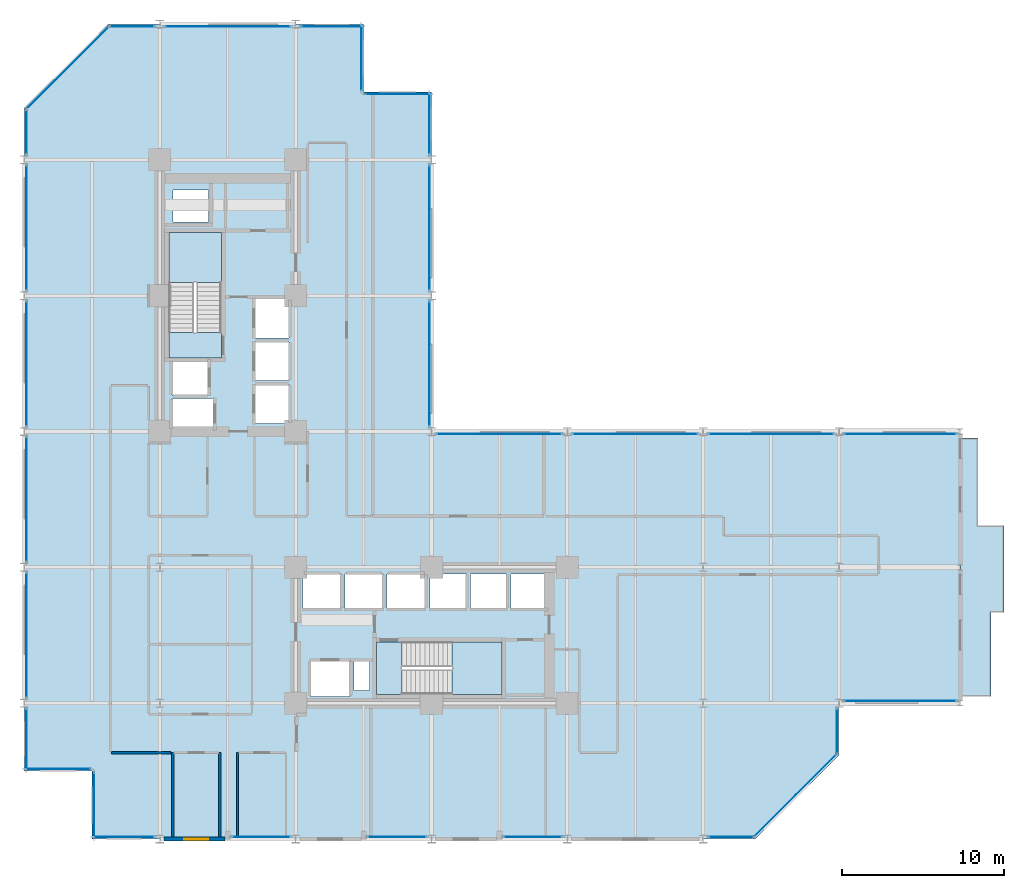
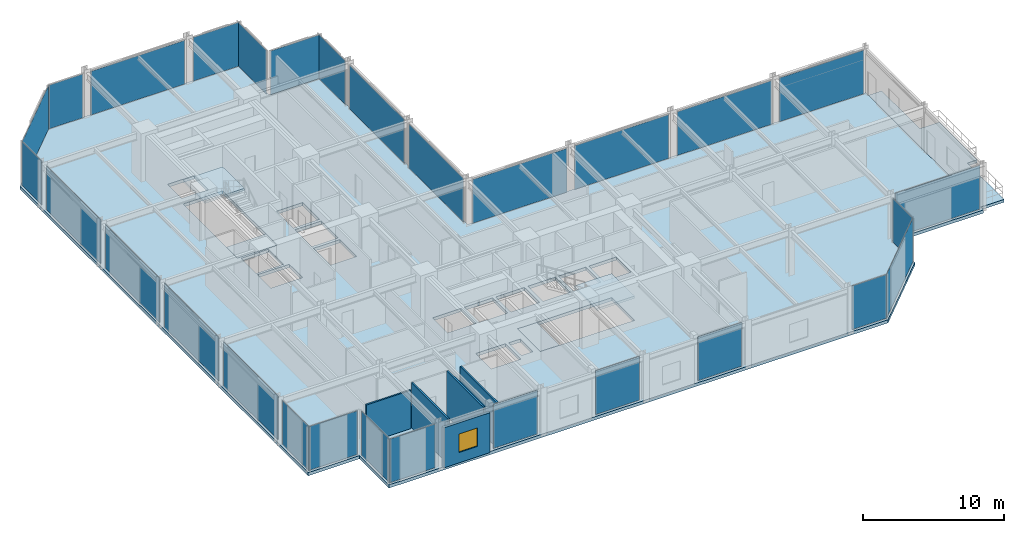
# One storey, part 20 of 26: 29 plates, 6 slabs, 5 walls, 1 window, 1 opening, 31 elements without a shape of their own.
"""IFC4 building model written with IfcOpenShell, lengths in metres."""

from ifc_helpers import new_model, si_unit, direction, frame, frame_2d, origin, origin_2d, place, context, subcontext, project, spatial, polyline, rectangle, outline, extrude, material, layer, layer_set, type_object, element, fill, aggregate, save


model = new_model("IFC4")

# Units and contexts
model_context = context("Model", 3, precision=1e-05, world=origin(), true_north=direction((0.0, 1.0)))
body_context = subcontext(model_context, "Body", "Model", "MODEL_VIEW")
ifc_project = project(units=[si_unit("LENGTHUNIT", "METRE"), si_unit("AREAUNIT", "SQUARE_METRE"), si_unit("VOLUMEUNIT", "CUBIC_METRE"), si_unit("PLANEANGLEUNIT", "RADIAN"), si_unit("MASSUNIT", "GRAM", prefix="KILO")], contexts=[model_context])

# Site, building, storey
site_placement = place(None, origin())
site = spatial("IfcSite", under=ifc_project, at=site_placement, CompositionType="ELEMENT")
building_placement = place(site_placement, origin())
building = spatial("IfcBuilding", under=site, at=building_placement, Name="Nerrivon Quay Data Exchange", CompositionType="ELEMENT")
storey_placement = place(building_placement, frame((0.0, 0.0, 71.0)))
storey = spatial("IfcBuildingStorey", under=building, at=storey_placement, Name="L16", CompositionType="ELEMENT", Elevation=71.0)

# Curtain wall, plate
ifc_material_1 = material(Name="Anodised aluminium 6063-T6", Category="aluminium")
ifc_layer_1 = layer(ifc_material_1, 0.199951171875)
ifc_layer_set_1 = layer_set([ifc_layer_1], Name="Anodised aluminium 6063-T6")
curtain_wall_type_1 = type_object("IfcCurtainWallType", Name="CW-SYS-04", PredefinedType="NOTDEFINED", material=ifc_layer_set_1)
curtain_wall_1_placement = place(storey_placement, origin())
curtain_wall_1 = element("IfcCurtainWall", 1, at=curtain_wall_1_placement, inside=storey, type_object=curtain_wall_type_1, Name="L16 Unitised Curtain Wall 3", PredefinedType="NOTDEFINED")
ifc_material_2 = material(Name="Double-glazed low-E solar control glass", Category="glass")
ifc_layer_2 = layer(ifc_material_2, 0.028076171875)
ifc_layer_set_2 = layer_set([ifc_layer_2], Name="Double-glazed low-E solar control glass")
plate_type = type_object("IfcPlateType", Name="CWP-GLZ-28", PredefinedType="CURTAIN_PANEL", material=ifc_layer_set_2)
plate_1_placement = place(storey_placement, frame((54.197265625, 8.5400390625, 0.06494140625), z_axis=(0.0, 0.0, 1.0), x_axis=(-1.0, 0.0, 0.0)))
plate_1 = element("IfcPlate", 2, at=plate_1_placement, type_object=plate_type, Name="CW04 panel 1.1", PredefinedType="CURTAIN_PANEL", context=body_context, shape_type="SweptSolid", body=[
    extrude(rectangle(XDim=6.944580078125, YDim=0.028076171875, at=origin_2d()), origin(), (0.0, 0.0, 1.0), 3.794921875),
])
aggregate(curtain_wall_1, [plate_1])

ifc_layer_3 = layer(ifc_material_1, 0.219970703125)
ifc_layer_set_3 = layer_set([ifc_layer_3], Name="Anodised aluminium 6063-T6")
curtain_wall_type_2 = type_object("IfcCurtainWallType", Name="CW-SYS-01", PredefinedType="NOTDEFINED", material=ifc_layer_set_3)
curtain_wall_2_placement = place(storey_placement, origin())
curtain_wall_2 = element("IfcCurtainWall", 3, at=curtain_wall_2_placement, inside=storey, type_object=curtain_wall_type_2, Name="L16 Unitised Curtain Wall 4", PredefinedType="NOTDEFINED")
plate_2_placement = place(storey_placement, frame((50.260009765625, 6.675048828125, 0.06494140625), z_axis=(0.0, 0.0, 1.0), x_axis=(0.0, -1.0, 0.0)))
plate_2 = element("IfcPlate", 4, at=plate_2_placement, type_object=plate_type, Name="CW01 panel 1.1", PredefinedType="CURTAIN_PANEL", context=body_context, shape_type="SweptSolid", body=[
    extrude(rectangle(XDim=2.800048828125, YDim=0.028076171875, at=origin_2d()), origin(), (0.0, 0.0, 1.0), 3.794921875),
])
aggregate(curtain_wall_2, [plate_2])

curtain_wall_3_placement = place(storey_placement, origin())
curtain_wall_3 = element("IfcCurtainWall", 5, at=curtain_wall_3_placement, inside=storey, type_object=curtain_wall_type_2, Name="L16 Unitised Curtain Wall 5", PredefinedType="NOTDEFINED")
plate_3_placement = place(storey_placement, frame((47.700927734375, 2.698974609375, 0.06494140625), z_axis=(0.0, 0.0, 1.0), x_axis=(-0.707106781187, -0.707106781187, 0.0)))
plate_3 = element("IfcPlate", 6, at=plate_3_placement, type_object=plate_type, Name="CW01 panel 1.1", PredefinedType="CURTAIN_PANEL", context=body_context, shape_type="SweptSolid", body=[
    extrude(rectangle(XDim=7.203857421875, YDim=0.028076171875, at=origin_2d()), origin(), (0.0, 0.0, 1.0), 3.794921875),
])
aggregate(curtain_wall_3, [plate_3])

curtain_wall_4_placement = place(storey_placement, origin())
curtain_wall_4 = element("IfcCurtainWall", 7, at=curtain_wall_4_placement, inside=storey, type_object=curtain_wall_type_2, Name="L16 Unitised Curtain Wall 6", PredefinedType="NOTDEFINED")
plate_4_placement = place(storey_placement, frame((43.72509765625, 0.139892578125, 0.06494140625), z_axis=(0.0, 0.0, 1.0), x_axis=(-1.0, 0.0, 0.0)))
plate_4 = element("IfcPlate", 8, at=plate_4_placement, type_object=plate_type, Name="CW01 panel 1.1", PredefinedType="CURTAIN_PANEL", context=body_context, shape_type="SweptSolid", body=[
    extrude(rectangle(XDim=2.800048828125, YDim=0.028076171875, at=origin_2d()), origin(), (0.0, 0.0, 1.0), 3.794921875),
])
aggregate(curtain_wall_4, [plate_4])

curtain_wall_5_placement = place(storey_placement, origin())
curtain_wall_5 = element("IfcCurtainWall", 9, at=curtain_wall_5_placement, inside=storey, type_object=curtain_wall_type_2, Name="L16 Unitised Curtain Wall 8", PredefinedType="NOTDEFINED")
plate_5_placement = place(storey_placement, frame((31.46240234375, 0.139892578125, 0.06494140625), z_axis=(0.0, 0.0, 1.0), x_axis=(-1.0, 0.0, 0.0)))
plate_5 = element("IfcPlate", 10, at=plate_5_placement, type_object=plate_type, Name="CW01 panel 1.1", PredefinedType="CURTAIN_PANEL", context=body_context, shape_type="SweptSolid", body=[
    extrude(rectangle(XDim=3.625, YDim=0.028076171875, at=origin_2d()), origin(), (0.0, 0.0, 1.0), 3.794921875),
])
aggregate(curtain_wall_5, [plate_5])

curtain_wall_6_placement = place(storey_placement, origin())
curtain_wall_6 = element("IfcCurtainWall", 11, at=curtain_wall_6_placement, inside=storey, type_object=curtain_wall_type_2, Name="L16 Unitised Curtain Wall 10", PredefinedType="NOTDEFINED")
plate_6_placement = place(storey_placement, frame((23.0625, 0.139892578125, 0.06494140625), z_axis=(0.0, 0.0, 1.0), x_axis=(-1.0, 0.0, 0.0)))
plate_6 = element("IfcPlate", 12, at=plate_6_placement, type_object=plate_type, Name="CW01 panel 1.1", PredefinedType="CURTAIN_PANEL", context=body_context, shape_type="SweptSolid", body=[
    extrude(rectangle(XDim=3.625, YDim=0.028076171875, at=origin_2d()), origin(), (0.0, 0.0, 1.0), 3.794921875),
])
aggregate(curtain_wall_6, [plate_6])

curtain_wall_7_placement = place(storey_placement, origin())
curtain_wall_7 = element("IfcCurtainWall", 13, at=curtain_wall_7_placement, inside=storey, type_object=curtain_wall_type_2, Name="L16 Unitised Curtain Wall 12", PredefinedType="NOTDEFINED")
plate_7_placement = place(storey_placement, frame((14.66259765625, 0.139892578125, 0.06494140625), z_axis=(0.0, 0.0, 1.0), x_axis=(-1.0, 0.0, 0.0)))
plate_7 = element("IfcPlate", 14, at=plate_7_placement, type_object=plate_type, Name="CW01 panel 1.1", PredefinedType="CURTAIN_PANEL", context=body_context, shape_type="SweptSolid", body=[
    extrude(rectangle(XDim=3.625, YDim=0.028076171875, at=origin_2d()), origin(), (0.0, 0.0, 1.0), 3.794921875),
])
aggregate(curtain_wall_7, [plate_7])

curtain_wall_8_placement = place(storey_placement, origin())
curtain_wall_8 = element("IfcCurtainWall", 15, at=curtain_wall_8_placement, inside=storey, type_object=curtain_wall_type_2, Name="L16 Unitised Curtain Wall 14", PredefinedType="NOTDEFINED")
plate_8_placement = place(storey_placement, frame((6.175048828125, 0.139892578125, 0.06494140625), z_axis=(0.0, 0.0, 1.0), x_axis=(-1.0, 0.0, 0.0)))
plate_8 = element("IfcPlate", 16, at=plate_8_placement, type_object=plate_type, Name="CW01 panel 1.1", PredefinedType="CURTAIN_PANEL", context=body_context, shape_type="SweptSolid", body=[
    extrude(rectangle(XDim=3.800048828125, YDim=0.028076171875, at=origin_2d()), origin(), (0.0, 0.0, 1.0), 3.794921875),
])
aggregate(curtain_wall_8, [plate_8])

curtain_wall_9_placement = place(storey_placement, origin())
curtain_wall_9 = element("IfcCurtainWall", 17, at=curtain_wall_9_placement, inside=storey, type_object=curtain_wall_type_2, Name="L16 Unitised Curtain Wall 15", PredefinedType="NOTDEFINED")
plate_9_placement = place(storey_placement, frame((4.340087890625, 2.10009765625, 0.06494140625), z_axis=(0.0, 0.0, 1.0), x_axis=(0.0, 1.0, 0.0)))
plate_9 = element("IfcPlate", 18, at=plate_9_placement, type_object=plate_type, Name="CW01 panel 1.1", PredefinedType="CURTAIN_PANEL", context=body_context, shape_type="SweptSolid", body=[
    extrude(rectangle(XDim=4.050048828125, YDim=0.028076171875, at=origin_2d()), origin(), (0.0, 0.0, 1.0), 3.794921875),
])
aggregate(curtain_wall_9, [plate_9])

curtain_wall_10_placement = place(storey_placement, origin())
curtain_wall_10 = element("IfcCurtainWall", 19, at=curtain_wall_10_placement, inside=storey, type_object=curtain_wall_type_2, Name="L16 Unitised Curtain Wall 16", PredefinedType="NOTDEFINED")
plate_10_placement = place(storey_placement, frame((2.10009765625, 4.340087890625, 0.06494140625), z_axis=(0.0, 0.0, 1.0), x_axis=(-1.0, 0.0, 0.0)))
plate_10 = element("IfcPlate", 20, at=plate_10_placement, type_object=plate_type, Name="CW01 panel 1.1", PredefinedType="CURTAIN_PANEL", context=body_context, shape_type="SweptSolid", body=[
    extrude(rectangle(XDim=4.050048828125, YDim=0.028076171875, at=origin_2d()), origin(), (0.0, 0.0, 1.0), 3.794921875),
])
aggregate(curtain_wall_10, [plate_10])

curtain_wall_11_placement = place(storey_placement, origin())
curtain_wall_11 = element("IfcCurtainWall", 21, at=curtain_wall_11_placement, inside=storey, type_object=curtain_wall_type_2, Name="L16 Unitised Curtain Wall 17", PredefinedType="NOTDEFINED")
plate_11_placement = place(storey_placement, frame((0.139892578125, 6.175048828125, 0.06494140625), z_axis=(0.0, 0.0, 1.0), x_axis=(0.0, 1.0, 0.0)))
plate_11 = element("IfcPlate", 22, at=plate_11_placement, type_object=plate_type, Name="CW01 panel 1.1", PredefinedType="CURTAIN_PANEL", context=body_context, shape_type="SweptSolid", body=[
    extrude(rectangle(XDim=3.800048828125, YDim=0.028076171875, at=origin_2d()), origin(), (0.0, 0.0, 1.0), 3.794921875),
])
aggregate(curtain_wall_11, [plate_11])

curtain_wall_12_placement = place(storey_placement, origin())
curtain_wall_12 = element("IfcCurtainWall", 23, at=curtain_wall_12_placement, inside=storey, type_object=curtain_wall_type_2, Name="L16 Unitised Curtain Wall 18", PredefinedType="NOTDEFINED")
plate_12_placement = place(storey_placement, frame((0.139892578125, 12.60009765625, 0.06494140625), z_axis=(0.0, 0.0, 1.0), x_axis=(0.0, 1.0, 0.0)))
plate_12 = element("IfcPlate", 24, at=plate_12_placement, type_object=plate_type, Name="CW01 panel 1.1", PredefinedType="CURTAIN_PANEL", context=body_context, shape_type="SweptSolid", body=[
    extrude(rectangle(XDim=7.75, YDim=0.028076171875, at=origin_2d()), origin(), (0.0, 0.0, 1.0), 3.794921875),
])
aggregate(curtain_wall_12, [plate_12])

curtain_wall_13_placement = place(storey_placement, origin())
curtain_wall_13 = element("IfcCurtainWall", 25, at=curtain_wall_13_placement, inside=storey, type_object=curtain_wall_type_2, Name="L16 Unitised Curtain Wall 19", PredefinedType="NOTDEFINED")
plate_13_placement = place(storey_placement, frame((0.139892578125, 21.0, 0.06494140625), z_axis=(0.0, 0.0, 1.0), x_axis=(0.0, 1.0, 0.0)))
plate_13 = element("IfcPlate", 26, at=plate_13_placement, type_object=plate_type, Name="CW01 panel 1.1", PredefinedType="CURTAIN_PANEL", context=body_context, shape_type="SweptSolid", body=[
    extrude(rectangle(XDim=7.75, YDim=0.028076171875, at=origin_2d()), origin(), (0.0, 0.0, 1.0), 3.794921875),
])
aggregate(curtain_wall_13, [plate_13])

curtain_wall_14_placement = place(storey_placement, origin())
curtain_wall_14 = element("IfcCurtainWall", 27, at=curtain_wall_14_placement, inside=storey, type_object=curtain_wall_type_2, Name="L16 Unitised Curtain Wall 20", PredefinedType="NOTDEFINED")
plate_14_placement = place(storey_placement, frame((0.139892578125, 29.39990234375, 0.06494140625), z_axis=(0.0, 0.0, 1.0), x_axis=(0.0, 1.0, 0.0)))
plate_14 = element("IfcPlate", 28, at=plate_14_placement, type_object=plate_type, Name="CW01 panel 1.1", PredefinedType="CURTAIN_PANEL", context=body_context, shape_type="SweptSolid", body=[
    extrude(rectangle(XDim=7.75, YDim=0.028076171875, at=origin_2d()), origin(), (0.0, 0.0, 1.0), 3.794921875),
])
aggregate(curtain_wall_14, [plate_14])

curtain_wall_15_placement = place(storey_placement, origin())
curtain_wall_15 = element("IfcCurtainWall", 29, at=curtain_wall_15_placement, inside=storey, type_object=curtain_wall_type_2, Name="L16 Unitised Curtain Wall 21", PredefinedType="NOTDEFINED")
plate_15_placement = place(storey_placement, frame((0.139892578125, 37.800048828125, 0.06494140625), z_axis=(0.0, 0.0, 1.0), x_axis=(0.0, 1.0, 0.0)))
plate_15 = element("IfcPlate", 30, at=plate_15_placement, type_object=plate_type, Name="CW01 panel 1.1", PredefinedType="CURTAIN_PANEL", context=body_context, shape_type="SweptSolid", body=[
    extrude(rectangle(XDim=7.75, YDim=0.028076171875, at=origin_2d()), origin(), (0.0, 0.0, 1.0), 3.794921875),
])
aggregate(curtain_wall_15, [plate_15])

curtain_wall_16_placement = place(storey_placement, origin())
curtain_wall_16 = element("IfcCurtainWall", 31, at=curtain_wall_16_placement, inside=storey, type_object=curtain_wall_type_2, Name="L16 Unitised Curtain Wall 22", PredefinedType="NOTDEFINED")
plate_16_placement = place(storey_placement, frame((0.139892578125, 43.72509765625, 0.06494140625), z_axis=(0.0, 0.0, 1.0), x_axis=(0.0, 1.0, 0.0)))
plate_16 = element("IfcPlate", 32, at=plate_16_placement, type_object=plate_type, Name="CW01 panel 1.1", PredefinedType="CURTAIN_PANEL", context=body_context, shape_type="SweptSolid", body=[
    extrude(rectangle(XDim=2.800048828125, YDim=0.028076171875, at=origin_2d()), origin(), (0.0, 0.0, 1.0), 3.794921875),
])
aggregate(curtain_wall_16, [plate_16])

curtain_wall_17_placement = place(storey_placement, origin())
curtain_wall_17 = element("IfcCurtainWall", 33, at=curtain_wall_17_placement, inside=storey, type_object=curtain_wall_type_2, Name="L16 Unitised Curtain Wall 23", PredefinedType="NOTDEFINED")
plate_17_placement = place(storey_placement, frame((2.698974609375, 47.700927734375, 0.06494140625), z_axis=(0.0, 0.0, 1.0), x_axis=(0.707106781187, 0.707106781187, 0.0)))
plate_17 = element("IfcPlate", 34, at=plate_17_placement, type_object=plate_type, Name="CW01 panel 1.1", PredefinedType="CURTAIN_PANEL", context=body_context, shape_type="SweptSolid", body=[
    extrude(rectangle(XDim=7.203857421875, YDim=0.028076171875, at=origin_2d()), origin(), (0.0, 0.0, 1.0), 3.794921875),
])
aggregate(curtain_wall_17, [plate_17])

curtain_wall_18_placement = place(storey_placement, origin())
curtain_wall_18 = element("IfcCurtainWall", 35, at=curtain_wall_18_placement, inside=storey, type_object=curtain_wall_type_2, Name="L16 Unitised Curtain Wall 24", PredefinedType="NOTDEFINED")
plate_18_placement = place(storey_placement, frame((6.675048828125, 50.260009765625, 0.06494140625), z_axis=(0.0, 0.0, 1.0), x_axis=(1.0, 0.0, 0.0)))
plate_18 = element("IfcPlate", 36, at=plate_18_placement, type_object=plate_type, Name="CW01 panel 1.1", PredefinedType="CURTAIN_PANEL", context=body_context, shape_type="SweptSolid", body=[
    extrude(rectangle(XDim=2.800048828125, YDim=0.028076171875, at=origin_2d()), origin(), (0.0, 0.0, 1.0), 3.794921875),
])
aggregate(curtain_wall_18, [plate_18])

curtain_wall_19_placement = place(storey_placement, origin())
curtain_wall_19 = element("IfcCurtainWall", 37, at=curtain_wall_19_placement, inside=storey, type_object=curtain_wall_type_2, Name="L16 Unitised Curtain Wall 25", PredefinedType="NOTDEFINED")
plate_19_placement = place(storey_placement, frame((12.60009765625, 50.260009765625, 0.06494140625), z_axis=(0.0, 0.0, 1.0), x_axis=(1.0, 0.0, 0.0)))
plate_19 = element("IfcPlate", 38, at=plate_19_placement, type_object=plate_type, Name="CW01 panel 1.1", PredefinedType="CURTAIN_PANEL", context=body_context, shape_type="SweptSolid", body=[
    extrude(rectangle(XDim=7.75, YDim=0.028076171875, at=origin_2d()), origin(), (0.0, 0.0, 1.0), 3.794921875),
])
aggregate(curtain_wall_19, [plate_19])

curtain_wall_20_placement = place(storey_placement, origin())
curtain_wall_20 = element("IfcCurtainWall", 39, at=curtain_wall_20_placement, inside=storey, type_object=curtain_wall_type_2, Name="L16 Unitised Curtain Wall 26", PredefinedType="NOTDEFINED")
plate_20_placement = place(storey_placement, frame((19.02490234375, 50.260009765625, 0.06494140625), z_axis=(0.0, 0.0, 1.0), x_axis=(1.0, 0.0, 0.0)))
plate_20 = element("IfcPlate", 40, at=plate_20_placement, type_object=plate_type, Name="CW01 panel 1.1", PredefinedType="CURTAIN_PANEL", context=body_context, shape_type="SweptSolid", body=[
    extrude(rectangle(XDim=3.800048828125, YDim=0.028076171875, at=origin_2d()), origin(), (0.0, 0.0, 1.0), 3.794921875),
])
aggregate(curtain_wall_20, [plate_20])

curtain_wall_21_placement = place(storey_placement, origin())
curtain_wall_21 = element("IfcCurtainWall", 41, at=curtain_wall_21_placement, inside=storey, type_object=curtain_wall_type_2, Name="L16 Unitised Curtain Wall 27", PredefinedType="NOTDEFINED")
plate_21_placement = place(storey_placement, frame((20.860107421875, 48.300048828125, 0.06494140625), z_axis=(0.0, 0.0, 1.0), x_axis=(0.0, -1.0, 0.0)))
plate_21 = element("IfcPlate", 42, at=plate_21_placement, type_object=plate_type, Name="CW01 panel 1.1", PredefinedType="CURTAIN_PANEL", context=body_context, shape_type="SweptSolid", body=[
    extrude(rectangle(XDim=4.050048828125, YDim=0.028076171875, at=origin_2d()), origin(), (0.0, 0.0, 1.0), 3.794921875),
])
aggregate(curtain_wall_21, [plate_21])

curtain_wall_22_placement = place(storey_placement, origin())
curtain_wall_22 = element("IfcCurtainWall", 43, at=curtain_wall_22_placement, inside=storey, type_object=curtain_wall_type_2, Name="L16 Unitised Curtain Wall 28", PredefinedType="NOTDEFINED")
plate_22_placement = place(storey_placement, frame((23.10009765625, 46.06005859375, 0.06494140625), z_axis=(0.0, 0.0, 1.0), x_axis=(1.0, 0.0, 0.0)))
plate_22 = element("IfcPlate", 44, at=plate_22_placement, type_object=plate_type, Name="CW01 panel 1.1", PredefinedType="CURTAIN_PANEL", context=body_context, shape_type="SweptSolid", body=[
    extrude(rectangle(XDim=4.050048828125, YDim=0.028076171875, at=origin_2d()), origin(), (0.0, 0.0, 1.0), 3.794921875),
])
aggregate(curtain_wall_22, [plate_22])

curtain_wall_23_placement = place(storey_placement, origin())
curtain_wall_23 = element("IfcCurtainWall", 45, at=curtain_wall_23_placement, inside=storey, type_object=curtain_wall_type_2, Name="L16 Unitised Curtain Wall 29", PredefinedType="NOTDEFINED")
plate_23_placement = place(storey_placement, frame((25.06005859375, 44.22509765625, 0.06494140625), z_axis=(0.0, 0.0, 1.0), x_axis=(0.0, -1.0, 0.0)))
plate_23 = element("IfcPlate", 46, at=plate_23_placement, type_object=plate_type, Name="CW01 panel 1.1", PredefinedType="CURTAIN_PANEL", context=body_context, shape_type="SweptSolid", body=[
    extrude(rectangle(XDim=3.800048828125, YDim=0.028076171875, at=origin_2d()), origin(), (0.0, 0.0, 1.0), 3.794921875),
])
aggregate(curtain_wall_23, [plate_23])

curtain_wall_24_placement = place(storey_placement, origin())
curtain_wall_24 = element("IfcCurtainWall", 47, at=curtain_wall_24_placement, inside=storey, type_object=curtain_wall_type_2, Name="L16 Unitised Curtain Wall 30", PredefinedType="NOTDEFINED")
plate_24_placement = place(storey_placement, frame((25.06005859375, 37.800048828125, 0.06494140625), z_axis=(0.0, 0.0, 1.0), x_axis=(0.0, -1.0, 0.0)))
plate_24 = element("IfcPlate", 48, at=plate_24_placement, type_object=plate_type, Name="CW01 panel 1.1", PredefinedType="CURTAIN_PANEL", context=body_context, shape_type="SweptSolid", body=[
    extrude(rectangle(XDim=7.75, YDim=0.028076171875, at=origin_2d()), origin(), (0.0, 0.0, 1.0), 3.794921875),
])
aggregate(curtain_wall_24, [plate_24])

curtain_wall_25_placement = place(storey_placement, origin())
curtain_wall_25 = element("IfcCurtainWall", 49, at=curtain_wall_25_placement, inside=storey, type_object=curtain_wall_type_2, Name="L16 Unitised Curtain Wall 31", PredefinedType="NOTDEFINED")
plate_25_placement = place(storey_placement, frame((25.06005859375, 29.39990234375, 0.06494140625), z_axis=(0.0, 0.0, 1.0), x_axis=(0.0, -1.0, 0.0)))
plate_25 = element("IfcPlate", 50, at=plate_25_placement, type_object=plate_type, Name="CW01 panel 1.1", PredefinedType="CURTAIN_PANEL", context=body_context, shape_type="SweptSolid", body=[
    extrude(rectangle(XDim=7.75, YDim=0.028076171875, at=origin_2d()), origin(), (0.0, 0.0, 1.0), 3.794921875),
])
aggregate(curtain_wall_25, [plate_25])

curtain_wall_26_placement = place(storey_placement, origin())
curtain_wall_26 = element("IfcCurtainWall", 51, at=curtain_wall_26_placement, inside=storey, type_object=curtain_wall_type_2, Name="L16 Unitised Curtain Wall 32", PredefinedType="NOTDEFINED")
plate_26_placement = place(storey_placement, frame((29.39990234375, 25.06005859375, 0.06494140625), z_axis=(0.0, 0.0, 1.0), x_axis=(1.0, 0.0, 0.0)))
plate_26 = element("IfcPlate", 52, at=plate_26_placement, type_object=plate_type, Name="CW01 panel 1.1", PredefinedType="CURTAIN_PANEL", context=body_context, shape_type="SweptSolid", body=[
    extrude(rectangle(XDim=7.75, YDim=0.028076171875, at=origin_2d()), origin(), (0.0, 0.0, 1.0), 3.794921875),
])
aggregate(curtain_wall_26, [plate_26])

curtain_wall_27_placement = place(storey_placement, origin())
curtain_wall_27 = element("IfcCurtainWall", 53, at=curtain_wall_27_placement, inside=storey, type_object=curtain_wall_type_2, Name="L16 Unitised Curtain Wall 33", PredefinedType="NOTDEFINED")
plate_27_placement = place(storey_placement, frame((37.800048828125, 25.06005859375, 0.06494140625), z_axis=(0.0, 0.0, 1.0), x_axis=(1.0, 0.0, 0.0)))
plate_27 = element("IfcPlate", 54, at=plate_27_placement, type_object=plate_type, Name="CW01 panel 1.1", PredefinedType="CURTAIN_PANEL", context=body_context, shape_type="SweptSolid", body=[
    extrude(rectangle(XDim=7.75, YDim=0.028076171875, at=origin_2d()), origin(), (0.0, 0.0, 1.0), 3.794921875),
])
aggregate(curtain_wall_27, [plate_27])

curtain_wall_28_placement = place(storey_placement, origin())
curtain_wall_28 = element("IfcCurtainWall", 55, at=curtain_wall_28_placement, inside=storey, type_object=curtain_wall_type_2, Name="L16 Unitised Curtain Wall 34", PredefinedType="NOTDEFINED")
plate_28_placement = place(storey_placement, frame((46.199951171875, 25.06005859375, 0.06494140625), z_axis=(0.0, 0.0, 1.0), x_axis=(1.0, 0.0, 0.0)))
plate_28 = element("IfcPlate", 56, at=plate_28_placement, type_object=plate_type, Name="CW01 panel 1.1", PredefinedType="CURTAIN_PANEL", context=body_context, shape_type="SweptSolid", body=[
    extrude(rectangle(XDim=7.75, YDim=0.028076171875, at=origin_2d()), origin(), (0.0, 0.0, 1.0), 3.794921875),
])
aggregate(curtain_wall_28, [plate_28])

curtain_wall_29_placement = place(storey_placement, origin())
curtain_wall_29 = element("IfcCurtainWall", 57, at=curtain_wall_29_placement, inside=storey, type_object=curtain_wall_type_1, Name="L16 Unitised Curtain Wall 35", PredefinedType="NOTDEFINED")
plate_29_placement = place(storey_placement, frame((54.197265625, 25.06005859375, 0.06494140625), z_axis=(0.0, 0.0, 1.0), x_axis=(1.0, 0.0, 0.0)))
plate_29 = element("IfcPlate", 58, at=plate_29_placement, type_object=plate_type, Name="CW04 panel 1.1", PredefinedType="CURTAIN_PANEL", context=body_context, shape_type="SweptSolid", body=[
    extrude(rectangle(XDim=6.944580078125, YDim=0.028076171875, at=origin_2d()), origin(), (0.0, 0.0, 1.0), 3.794921875),
])
aggregate(curtain_wall_29, [plate_29])

# Slab
ifc_material_3 = material(Name="Precast white architectural concrete N50 (50 MPa)", Category="concrete")
ifc_layer_4 = layer(ifc_material_3, 0.25)
ifc_layer_set_4 = layer_set([ifc_layer_4], Name="Precast white architectural concrete N50 (50 MPa)")
slab_type_1 = type_object("IfcSlabType", Name="SLB-BAL-250", PredefinedType="FLOOR", material=ifc_layer_set_4)
slab_1_placement = place(storey_placement, frame((0.0, 0.0, -0.25)))
element("IfcSlab", 59, at=slab_1_placement, inside=storey, type_object=slab_type_1, Name="L16 East Hooked Drifting Verandah", PredefinedType="FLOOR", context=body_context, shape_type="SweptSolid", body=[
    extrude(outline(polyline([(59.800048828125, 14.0), (60.60009765625, 14.0), (60.60009765625, 19.39990234375), (59.0, 19.39990234375), (59.0, 24.800048828125), (57.89990234375, 24.800048828125), (57.89990234375, 19.39990234375), (57.89990234375, 14.0), (57.89990234375, 8.800048828125), (59.800048828125, 8.800048828125), (59.800048828125, 14.0)])), origin(), (0.0, 0.0, 1.0), 0.25),
])

# Stair, slab
ifc_material_4 = material(Name="Concrete N50 (50 MPa)", Category="concrete")
stair_type = type_object("IfcStairType", Name="STAIR-DOG-42", PredefinedType="HALF_TURN_STAIR", material=ifc_material_4)
stair_1_placement = place(storey_placement, origin())
stair_1 = element("IfcStair", 60, at=stair_1_placement, inside=storey, type_object=stair_type, Name="L16 West Core Fire Stair ST01", PredefinedType="HALF_TURN_STAIR")
ifc_layer_5 = layer(ifc_material_4, 0.199951171875)
ifc_layer_set_5 = layer_set([ifc_layer_5], Name="Concrete N50 (50 MPa)")
slab_type_2 = type_object("IfcSlabType", Name="SLB-LAND-200", PredefinedType="LANDING", material=ifc_layer_set_5)
slab_2_placement = place(storey_placement, frame((0.0, 0.0, 1.89990234375)))
slab_2 = element("IfcSlab", 61, at=slab_2_placement, type_object=slab_type_2, Name="ST01 landing 1", PredefinedType="LANDING", context=body_context, shape_type="SweptSolid", body=[
    extrude(outline(polyline([(12.199951171875, 34.409912109375), (12.199951171875, 37.5), (8.949951171875, 37.5), (8.949951171875, 34.409912109375), (12.199951171875, 34.409912109375)])), origin(), (0.0, 0.0, 1.0), 0.2001953125),
])
aggregate(stair_1, [slab_2])

# Slab
slab_3_placement = place(storey_placement, frame((0.0, 0.0, -0.199951171875)))
element("IfcSlab", 62, at=slab_3_placement, inside=storey, type_object=slab_type_2, Name="L16 ST01 floor landing", PredefinedType="LANDING", context=body_context, shape_type="SweptSolid", body=[
    extrude(outline(polyline([(12.199951171875, 29.75), (12.199951171875, 31.330078125), (8.949951171875, 31.330078125), (8.949951171875, 29.75), (12.199951171875, 29.75)])), origin(), (0.0, 0.0, 1.0), 0.199951171875),
])

# Stair, slab
stair_2_placement = place(storey_placement, origin())
stair_2 = element("IfcStair", 63, at=stair_2_placement, inside=storey, type_object=stair_type, Name="L16 East Core Fire Stair ST02", PredefinedType="HALF_TURN_STAIR")
slab_4_placement = place(storey_placement, frame((0.0, 0.0, 1.89990234375)))
slab_4 = element("IfcSlab", 64, at=slab_4_placement, type_object=slab_type_2, Name="ST02 landing 1", PredefinedType="LANDING", context=body_context, shape_type="SweptSolid", body=[
    extrude(outline(polyline([(26.4599609375, 8.949951171875), (29.550048828125, 8.949951171875), (29.550048828125, 12.199951171875), (26.4599609375, 12.199951171875), (26.4599609375, 8.949951171875)])), origin(), (0.0, 0.0, 1.0), 0.2001953125),
])
aggregate(stair_2, [slab_4])

# Slabs
slab_5_placement = place(storey_placement, frame((0.0, 0.0, -0.199951171875)))
element("IfcSlab", 65, at=slab_5_placement, inside=storey, type_object=slab_type_2, Name="L16 ST02 floor landing", PredefinedType="LANDING", context=body_context, shape_type="SweptSolid", body=[
    extrude(outline(polyline([(21.800048828125, 8.949951171875), (23.3798828125, 8.949951171875), (23.3798828125, 12.199951171875), (21.800048828125, 12.199951171875), (21.800048828125, 8.949951171875)])), origin(), (0.0, 0.0, 1.0), 0.199951171875),
])
ifc_layer_6 = layer(ifc_material_4, 0.27490234375)
ifc_layer_set_6 = layer_set([ifc_layer_6], Name="Concrete N50 (50 MPa)")
slab_type_3 = type_object("IfcSlabType", Name="SLB-TOW-275", PredefinedType="FLOOR", material=ifc_layer_set_6)
slab_6_placement = place(storey_placement, frame((0.0, 0.0, -0.27490234375)))
element("IfcSlab", 66, at=slab_6_placement, inside=storey, type_object=slab_type_3, Name="L16 Primary Structural Slab", PredefinedType="FLOOR", context=body_context, shape_type="SweptSolid", body=[
    extrude(outline(polyline([(25.199951171875, 25.199951171875), (25.199951171875, 46.199951171875), (21.0, 46.199951171875), (21.0, 50.39990234375), (5.199951171875, 50.39990234375), (0.0, 45.199951171875), (0.0, 4.199951171875), (4.199951171875, 4.199951171875), (4.199951171875, 0.0), (45.199951171875, 0.0), (50.39990234375, 5.199951171875), (50.39990234375, 8.39990234375), (57.89990234375, 8.39990234375), (57.89990234375, 25.199951171875), (25.199951171875, 25.199951171875)]), holes=[polyline([(8.949951171875, 29.75), (8.949951171875, 37.5), (12.199951171875, 37.5), (12.199951171875, 29.75), (8.949951171875, 29.75)]), polyline([(21.800048828125, 12.199951171875), (29.550048828125, 12.199951171875), (29.550048828125, 8.949951171875), (21.800048828125, 8.949951171875), (21.800048828125, 12.199951171875)]), polyline([(30.10009765625, 16.39990234375), (32.35009765625, 16.39990234375), (32.35009765625, 14.25), (30.10009765625, 14.25), (30.10009765625, 16.39990234375)]), polyline([(27.60009765625, 16.39990234375), (29.85009765625, 16.39990234375), (29.85009765625, 14.25), (27.60009765625, 14.25), (27.60009765625, 16.39990234375)]), polyline([(25.10009765625, 16.39990234375), (27.35009765625, 16.39990234375), (27.35009765625, 14.25), (25.10009765625, 14.25), (25.10009765625, 16.39990234375)]), polyline([(22.449951171875, 16.39990234375), (24.800048828125, 16.39990234375), (24.800048828125, 14.25), (22.449951171875, 14.25), (22.449951171875, 16.39990234375)]), polyline([(19.85009765625, 16.39990234375), (22.199951171875, 16.39990234375), (22.199951171875, 14.25), (19.85009765625, 14.25), (19.85009765625, 16.39990234375)]), polyline([(20.39990234375, 11.0), (21.35009765625, 11.0), (21.35009765625, 9.199951171875), (20.39990234375, 9.199951171875), (20.39990234375, 11.0)]), polyline([(17.699951171875, 8.830078125), (17.699951171875, 11.030029296875), (20.14990234375, 11.030029296875), (20.14990234375, 8.830078125), (17.699951171875, 8.830078125)]), polyline([(17.25, 14.25), (17.25, 16.39990234375), (19.60009765625, 16.39990234375), (19.60009765625, 14.25), (17.25, 14.25)]), polyline([(14.25, 28.10009765625), (16.39990234375, 28.10009765625), (16.39990234375, 25.699951171875), (14.25, 25.699951171875), (14.25, 28.10009765625)]), polyline([(14.25, 30.75), (16.39990234375, 30.75), (16.39990234375, 28.35009765625), (14.25, 28.35009765625), (14.25, 30.75)]), polyline([(14.25, 33.39990234375), (16.39990234375, 33.39990234375), (16.39990234375, 31.0), (14.25, 31.0), (14.25, 33.39990234375)]), polyline([(9.14990234375, 27.25), (11.75, 27.25), (11.75, 25.35009765625), (9.14990234375, 25.35009765625), (9.14990234375, 27.25)]), polyline([(9.14990234375, 29.60009765625), (11.39990234375, 29.60009765625), (11.39990234375, 27.449951171875), (9.14990234375, 27.449951171875), (9.14990234375, 29.60009765625)]), polyline([(9.199951171875, 40.14990234375), (11.39990234375, 40.14990234375), (11.39990234375, 38.14990234375), (9.199951171875, 38.14990234375), (9.199951171875, 40.14990234375)])]), origin(), (0.0, 0.0, 1.0), 0.27490234375),
])

# Wall, opening, window
ifc_material_5 = material(Name="Architectural terracotta precast concrete N50 (50 MPa)", Category="masonry")
ifc_layer_7 = layer(ifc_material_5, 0.239990234375)
ifc_layer_set_7 = layer_set([ifc_layer_7], Name="Architectural terracotta precast concrete N50 (50 MPa)")
wall_type_1 = type_object("IfcWallType", Name="EW-PREC-240", PredefinedType="STANDARD", material=ifc_layer_set_7)
wall_1_placement = place(storey_placement, frame((12.425048828125, 0.0, 0.0), z_axis=(0.0, 0.0, 1.0), x_axis=(-1.0, 0.0, 0.0)))
wall_1 = element("IfcWall", 67, at=wall_1_placement, inside=storey, type_object=wall_type_1, Name="L16 Podium Precast Spandrel Wall 13", PredefinedType="STANDARD", context=body_context, shape_type="SweptSolid", body=[
    extrude(rectangle(XDim=3.775146484375, YDim=0.239990234375, at=frame_2d((1.8876953125, 0.0))), origin(), (0.0, 0.0, 1.0), 3.470947265625),
])
opening_placement = place(wall_1_placement, frame((1.02490234375, 0.0, 0.89990234375)))
opening = element("IfcOpeningElement", 68, at=opening_placement, cuts=wall_1, Name="Opening WN4", PredefinedType="OPENING", context=body_context, shape_type="SweptSolid", body=[
    extrude(rectangle(XDim=1.5, YDim=1.60009765625, at=frame_2d((0.75, 0.800048828125))), frame((0.0, 0.1298828125, 0.0), z_axis=(0.0, -1.0, 0.0), x_axis=(1.0, 0.0, 0.0)), (0.0, 0.0, 1.0), 0.260009765625),
])
window_type = type_object("IfcWindowType", Name="WIN-W4-1500x1600", PartitioningType="SINGLE_PANEL", PredefinedType="WINDOW", material=ifc_material_2)
window_placement = place(opening_placement, origin())
window = element("IfcWindow", 69, at=window_placement, inside=storey, type_object=window_type, Name="L16 Solar Facade Window 13", OverallHeight=1.60009765625, OverallWidth=1.5, PartitioningType="SINGLE_PANEL", PredefinedType="WINDOW", context=body_context, shape_type="SweptSolid", body=[
    extrude(rectangle(XDim=1.5, YDim=1.60009765625, at=frame_2d((0.75, 0.800048828125))), frame((0.0, 0.030029296875, 0.0), z_axis=(0.0, -1.0, 0.0), x_axis=(1.0, 0.0, 0.0)), (0.0, 0.0, 1.0), 0.06005859375),
])
fill(opening, window)

# Walls
ifc_material_6 = material(Name="Gypsum plasterboard on cold-formed framing", Category="gypsum")
ifc_layer_8 = layer(ifc_material_6, 0.135009765625)
ifc_layer_set_8 = layer_set([ifc_layer_8], Name="Gypsum plasterboard on cold-formed framing")
wall_type_2 = type_object("IfcWallType", Name="WALL-PT-135", PredefinedType="PARTITIONING", material=ifc_layer_set_8)
for number, where, z_axis, x_axis, name in (
    (70, (9.199951171875, 5.340087890625, 0.0), (0.0, 0.0, 1.0), (0.0, -1.0, 0.0), "L16 Partition Accessible Toilet"),
    (71, (12.10009765625, 0.1240234375, 0.0), (0.0, 0.0, 1.0), (0.0, 1.0, 0.0), "L16 Partition Accessible Toilet"),
):
    element("IfcWall", number, at=place(storey_placement, frame(where, z_axis=z_axis, x_axis=x_axis)), inside=storey, type_object=wall_type_2, Name=name, PredefinedType="PARTITIONING", context=body_context, shape_type="SweptSolid", body=[
        extrude(rectangle(XDim=5.216064453125, YDim=0.135009765625, at=frame_2d((2.60791015625, 0.0))), origin(), (0.0, 0.0, 1.0), 3.925048828125),
    ])
wall_2_placement = place(storey_placement, frame((13.199951171875, 5.340087890625, 0.0), z_axis=(0.0, 0.0, 1.0), x_axis=(0.0, -1.0, 0.0)))
element("IfcWall", 72, at=wall_2_placement, inside=storey, type_object=wall_type_2, Name="L16 Partition Public Washrooms", PredefinedType="PARTITIONING", context=body_context, shape_type="SweptSolid", body=[
    extrude(rectangle(XDim=5.171142578125, YDim=0.135009765625, at=frame_2d((2.58544921875, 0.0))), origin(), (0.0, 0.0, 1.0), 3.925048828125),
])
wall_3_placement = place(storey_placement, frame((9.080078125, 5.340087890625, 0.0), z_axis=(0.0, 0.0, 1.0), x_axis=(-1.0, 0.0, 0.0)))
element("IfcWall", 73, at=wall_3_placement, inside=storey, type_object=wall_type_2, Name="L16 Partition Optical Engineering Studios Workspace", PredefinedType="PARTITIONING", context=body_context, shape_type="SweptSolid", body=[
    extrude(rectangle(XDim=3.68017578125, YDim=0.135009765625, at=frame_2d((1.840087890625, 0.0))), origin(), (0.0, 0.0, 1.0), 3.322998046875),
])

save(model, "model.ifc")
